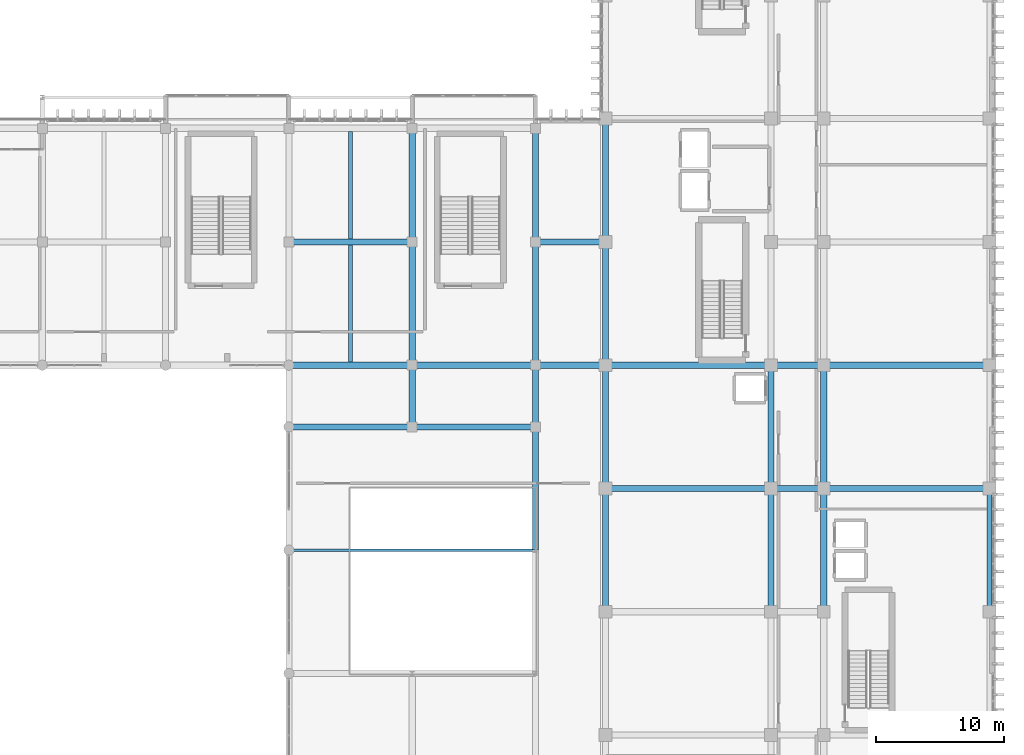
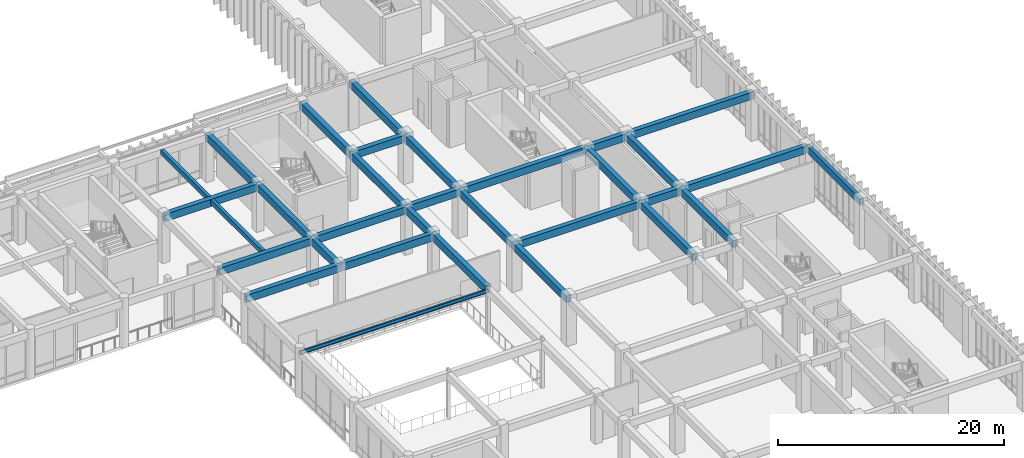
# One storey, part 70 of 134: 32 beams.
"""IFC4 building model written with IfcOpenShell, lengths in metres."""

from ifc_helpers import new_model, si_unit, direction, frame, origin, origin_2d, place, context, subcontext, project, spatial, rectangle, i_section, extrude, material, material_profile, profile_set, type_object, element, save


model = new_model("IFC4")

# Units and contexts
model_context = context("Model", 3, precision=1e-05, world=origin(), true_north=direction((0.0, 1.0)))
body_context = subcontext(model_context, "Body", "Model", "MODEL_VIEW")
ifc_project = project(units=[si_unit("LENGTHUNIT", "METRE"), si_unit("AREAUNIT", "SQUARE_METRE"), si_unit("VOLUMEUNIT", "CUBIC_METRE"), si_unit("PLANEANGLEUNIT", "RADIAN"), si_unit("MASSUNIT", "GRAM", prefix="KILO")], contexts=[model_context])

# Site, building, storey
site_placement = place(None, origin())
site = spatial("IfcSite", under=ifc_project, at=site_placement, CompositionType="ELEMENT")
building_placement = place(site_placement, origin())
building = spatial("IfcBuilding", under=site, at=building_placement, Name="Nakhvara Creek Congress Hotel", CompositionType="ELEMENT")
storey_placement = place(building_placement, frame((0.0, 0.0, 6.0)))
storey = spatial("IfcBuildingStorey", under=building, at=storey_placement, Name="L01", CompositionType="ELEMENT", Elevation=6.0)

# Beams
ifc_material_1 = material(Name="Concrete C40/50", Category="concrete")
ifc_material_profile_1 = material_profile(ifc_material_1, rectangle(XDim=0.320068359375, YDim=0.52001953125, at=origin_2d()), Name="RC-BM 320x520", Category="LoadBearing")
ifc_profile_set_1 = profile_set([ifc_material_profile_1], Name="Concrete C40/50")
beam_type_1 = type_object("IfcBeamType", Name="BM-RC-320X520", PredefinedType="JOIST", material=ifc_profile_set_1)
beam_1_placement = place(storey_placement, frame((129.60009765625, 77.0400390625, 4.840087890625), z_axis=(0.0, 1.0, 0.0), x_axis=(-1.0, 0.0, 0.0)))
element("IfcBeam", 1, at=beam_1_placement, inside=storey, type_object=beam_type_1, Name="Secondary Joist BJ2-L01-1387", PredefinedType="JOIST", context=body_context, shape_type="SweptSolid", body=[
    extrude(rectangle(XDim=0.320068359375, YDim=0.52001953125, at=origin_2d()), origin(), (0.0, 0.0, 1.0), 9.119873046875),
])
beam_2_placement = place(storey_placement, frame((129.60009765625, 86.639892578125, 4.840087890625), z_axis=(0.0, 1.0, 0.0), x_axis=(-1.0, 0.0, 0.0)))
element("IfcBeam", 2, at=beam_2_placement, inside=storey, type_object=beam_type_1, Name="Secondary Joist BJ2-L01-1388", PredefinedType="JOIST", context=body_context, shape_type="SweptSolid", body=[
    extrude(rectangle(XDim=0.320068359375, YDim=0.52001953125, at=origin_2d()), origin(), (0.0, 0.0, 1.0), 8.3701171875),
])
ifc_material_profile_2 = material_profile(ifc_material_1, rectangle(XDim=0.47998046875, YDim=0.780029296875, at=origin_2d()), Name="RC-BM 480x780", Category="LoadBearing")
ifc_profile_set_2 = profile_set([ifc_material_profile_2], Name="Concrete C40/50")
beam_type_2 = type_object("IfcBeamType", Name="BM-RC-480X780", PredefinedType="BEAM", material=ifc_profile_set_2)
for number, where, z_axis, x_axis, name in (
    (3, (124.800048828125, 72.0, 4.7099609375), (1.0, 0.0, 0.0), (0.0, 1.0, 0.0), "Beam B13-L01-1232"),
    (4, (124.800048828125, 76.800048828125, 4.7099609375), (1.0, 0.0, 0.0), (0.0, 1.0, 0.0), "Beam B13-L01-1234"),
    (5, (124.800048828125, 86.39990234375, 4.7099609375), (1.0, 0.0, 0.0), (0.0, 1.0, 0.0), "Beam B13-L01-1236"),
):
    element("IfcBeam", number, at=place(storey_placement, frame(where, z_axis=z_axis, x_axis=x_axis)), inside=storey, type_object=beam_type_2, Name=name, PredefinedType="BEAM", context=body_context, shape_type="SweptSolid", body=[
        extrude(rectangle(XDim=0.47998046875, YDim=0.780029296875, at=origin_2d()), origin(), (0.0, 0.0, 1.0), 9.599853515625),
    ])
beam_3_placement = place(storey_placement, frame((134.39990234375, 72.0, 4.7099609375), z_axis=(0.0, 1.0, 0.0), x_axis=(-1.0, 0.0, 0.0)))
element("IfcBeam", 6, at=beam_3_placement, inside=storey, type_object=beam_type_2, Name="Beam B13-L01-1248", PredefinedType="BEAM", context=body_context, shape_type="SweptSolid", body=[
    extrude(rectangle(XDim=0.47998046875, YDim=0.780029296875, at=origin_2d()), origin(), (0.0, 0.0, 1.0), 4.800048828125),
])
beam_4_placement = place(storey_placement, frame((134.39990234375, 72.0, 4.7099609375), z_axis=(1.0, 0.0, 0.0), x_axis=(0.0, 1.0, 0.0)))
element("IfcBeam", 7, at=beam_4_placement, inside=storey, type_object=beam_type_2, Name="Beam B13-L01-1249", PredefinedType="BEAM", context=body_context, shape_type="SweptSolid", body=[
    extrude(rectangle(XDim=0.47998046875, YDim=0.780029296875, at=origin_2d()), origin(), (0.0, 0.0, 1.0), 9.60009765625),
])
beam_5_placement = place(storey_placement, frame((134.39990234375, 76.800048828125, 4.7099609375), z_axis=(0.0, 1.0, 0.0), x_axis=(-1.0, 0.0, 0.0)))
element("IfcBeam", 8, at=beam_5_placement, inside=storey, type_object=beam_type_2, Name="Beam B13-L01-1250", PredefinedType="BEAM", context=body_context, shape_type="SweptSolid", body=[
    extrude(rectangle(XDim=0.47998046875, YDim=0.780029296875, at=origin_2d()), origin(), (0.0, 0.0, 1.0), 9.599853515625),
])
beam_6_placement = place(storey_placement, frame((134.39990234375, 76.800048828125, 4.7099609375), z_axis=(1.0, 0.0, 0.0), x_axis=(0.0, 1.0, 0.0)))
element("IfcBeam", 9, at=beam_6_placement, inside=storey, type_object=beam_type_2, Name="Beam B13-L01-1251", PredefinedType="BEAM", context=body_context, shape_type="SweptSolid", body=[
    extrude(rectangle(XDim=0.47998046875, YDim=0.780029296875, at=origin_2d()), origin(), (0.0, 0.0, 1.0), 9.60009765625),
])
beam_7_placement = place(storey_placement, frame((134.39990234375, 86.39990234375, 4.7099609375), z_axis=(0.0, 1.0, 0.0), x_axis=(-1.0, 0.0, 0.0)))
element("IfcBeam", 10, at=beam_7_placement, inside=storey, type_object=beam_type_2, Name="Beam B13-L01-1252", PredefinedType="BEAM", context=body_context, shape_type="SweptSolid", body=[
    extrude(rectangle(XDim=0.47998046875, YDim=0.780029296875, at=origin_2d()), origin(), (0.0, 0.0, 1.0), 8.85009765625),
])
beam_8_placement = place(storey_placement, frame((144.0, 62.39990234375, 4.7099609375), z_axis=(0.0, 1.0, 0.0), x_axis=(-1.0, 0.0, 0.0)))
element("IfcBeam", 11, at=beam_8_placement, inside=storey, type_object=beam_type_2, Name="Beam B13-L01-1266", PredefinedType="BEAM", context=body_context, shape_type="SweptSolid", body=[
    extrude(rectangle(XDim=0.47998046875, YDim=0.780029296875, at=origin_2d()), origin(), (0.0, 0.0, 1.0), 9.60009765625),
])
beam_9_placement = place(storey_placement, frame((144.0, 72.0, 4.7099609375), z_axis=(0.0, 1.0, 0.0), x_axis=(-1.0, 0.0, 0.0)))
element("IfcBeam", 12, at=beam_9_placement, inside=storey, type_object=beam_type_2, Name="Beam B13-L01-1267", PredefinedType="BEAM", context=body_context, shape_type="SweptSolid", body=[
    extrude(rectangle(XDim=0.47998046875, YDim=0.780029296875, at=origin_2d()), origin(), (0.0, 0.0, 1.0), 4.800048828125),
])
beam_10_placement = place(storey_placement, frame((144.0, 76.800048828125, 4.7099609375), z_axis=(0.0, 1.0, 0.0), x_axis=(-1.0, 0.0, 0.0)))
element("IfcBeam", 13, at=beam_10_placement, inside=storey, type_object=beam_type_2, Name="Beam B13-L01-1268", PredefinedType="BEAM", context=body_context, shape_type="SweptSolid", body=[
    extrude(rectangle(XDim=0.47998046875, YDim=0.780029296875, at=origin_2d()), origin(), (0.0, 0.0, 1.0), 9.599853515625),
])
beam_11_placement = place(storey_placement, frame((144.0, 76.800048828125, 4.7099609375), z_axis=(1.0, 0.0, 0.0), x_axis=(0.0, 1.0, 0.0)))
element("IfcBeam", 14, at=beam_11_placement, inside=storey, type_object=beam_type_2, Name="Beam B13-L01-1269", PredefinedType="BEAM", context=body_context, shape_type="SweptSolid", body=[
    extrude(rectangle(XDim=0.47998046875, YDim=0.780029296875, at=origin_2d()), origin(), (0.0, 0.0, 1.0), 5.449951171875),
])
beam_12_placement = place(storey_placement, frame((144.0, 86.39990234375, 4.7099609375), z_axis=(0.0, 1.0, 0.0), x_axis=(-1.0, 0.0, 0.0)))
element("IfcBeam", 15, at=beam_12_placement, inside=storey, type_object=beam_type_2, Name="Beam B13-L01-1270", PredefinedType="BEAM", context=body_context, shape_type="SweptSolid", body=[
    extrude(rectangle(XDim=0.47998046875, YDim=0.780029296875, at=origin_2d()), origin(), (0.0, 0.0, 1.0), 8.85009765625),
])
beam_13_placement = place(storey_placement, frame((144.0, 86.39990234375, 4.7099609375), z_axis=(1.0, 0.0, 0.0), x_axis=(0.0, 1.0, 0.0)))
element("IfcBeam", 16, at=beam_13_placement, inside=storey, type_object=beam_type_2, Name="Beam B13-L01-1271", PredefinedType="BEAM", context=body_context, shape_type="SweptSolid", body=[
    extrude(rectangle(XDim=0.47998046875, YDim=0.780029296875, at=origin_2d()), origin(), (0.0, 0.0, 1.0), 5.449951171875),
])
beam_14_placement = place(storey_placement, frame((149.449951171875, 57.60009765625, 4.7099609375), z_axis=(0.0, 1.0, 0.0), x_axis=(-1.0, 0.0, 0.0)))
element("IfcBeam", 17, at=beam_14_placement, inside=storey, type_object=beam_type_2, Name="Beam B13-L01-1284", PredefinedType="BEAM", context=body_context, shape_type="SweptSolid", body=[
    extrude(rectangle(XDim=0.47998046875, YDim=0.780029296875, at=origin_2d()), origin(), (0.0, 0.0, 1.0), 9.599853515625),
])
beam_15_placement = place(storey_placement, frame((149.449951171875, 67.199951171875, 4.7099609375), z_axis=(0.0, 1.0, 0.0), x_axis=(-1.0, 0.0, 0.0)))
element("IfcBeam", 18, at=beam_15_placement, inside=storey, type_object=beam_type_2, Name="Beam B13-L01-1286", PredefinedType="BEAM", context=body_context, shape_type="SweptSolid", body=[
    extrude(rectangle(XDim=0.47998046875, YDim=0.780029296875, at=origin_2d()), origin(), (0.0, 0.0, 1.0), 9.60009765625),
])
beam_16_placement = place(storey_placement, frame((149.449951171875, 67.199951171875, 4.7099609375), z_axis=(1.0, 0.0, 0.0), x_axis=(0.0, 1.0, 0.0)))
element("IfcBeam", 19, at=beam_16_placement, inside=storey, type_object=beam_type_2, Name="Beam B13-L01-1287", PredefinedType="BEAM", context=body_context, shape_type="SweptSolid", body=[
    extrude(rectangle(XDim=0.47998046875, YDim=0.780029296875, at=origin_2d()), origin(), (0.0, 0.0, 1.0), 12.900146484375),
])
beam_17_placement = place(storey_placement, frame((149.449951171875, 76.800048828125, 4.7099609375), z_axis=(0.0, 1.0, 0.0), x_axis=(-1.0, 0.0, 0.0)))
element("IfcBeam", 20, at=beam_17_placement, inside=storey, type_object=beam_type_2, Name="Beam B13-L01-1288", PredefinedType="BEAM", context=body_context, shape_type="SweptSolid", body=[
    extrude(rectangle(XDim=0.47998046875, YDim=0.780029296875, at=origin_2d()), origin(), (0.0, 0.0, 1.0), 9.599853515625),
])
beam_18_placement = place(storey_placement, frame((149.449951171875, 76.800048828125, 4.7099609375), z_axis=(1.0, 0.0, 0.0), x_axis=(0.0, 1.0, 0.0)))
element("IfcBeam", 21, at=beam_18_placement, inside=storey, type_object=beam_type_2, Name="Beam B13-L01-1289", PredefinedType="BEAM", context=body_context, shape_type="SweptSolid", body=[
    extrude(rectangle(XDim=0.47998046875, YDim=0.780029296875, at=origin_2d()), origin(), (0.0, 0.0, 1.0), 12.900146484375),
])
beam_19_placement = place(storey_placement, frame((149.449951171875, 86.39990234375, 4.7099609375), z_axis=(0.0, 1.0, 0.0), x_axis=(-1.0, 0.0, 0.0)))
element("IfcBeam", 22, at=beam_19_placement, inside=storey, type_object=beam_type_2, Name="Beam B13-L01-1290", PredefinedType="BEAM", context=body_context, shape_type="SweptSolid", body=[
    extrude(rectangle(XDim=0.47998046875, YDim=0.780029296875, at=origin_2d()), origin(), (0.0, 0.0, 1.0), 9.60009765625),
])
beam_20_placement = place(storey_placement, frame((162.35009765625, 57.60009765625, 4.7099609375), z_axis=(0.0, 1.0, 0.0), x_axis=(-1.0, 0.0, 0.0)))
element("IfcBeam", 23, at=beam_20_placement, inside=storey, type_object=beam_type_2, Name="Beam B13-L01-1309", PredefinedType="BEAM", context=body_context, shape_type="SweptSolid", body=[
    extrude(rectangle(XDim=0.47998046875, YDim=0.780029296875, at=origin_2d()), origin(), (0.0, 0.0, 1.0), 9.599853515625),
])
beam_21_placement = place(storey_placement, frame((162.35009765625, 67.199951171875, 4.7099609375), z_axis=(0.0, 1.0, 0.0), x_axis=(-1.0, 0.0, 0.0)))
element("IfcBeam", 24, at=beam_21_placement, inside=storey, type_object=beam_type_2, Name="Beam B13-L01-1311", PredefinedType="BEAM", context=body_context, shape_type="SweptSolid", body=[
    extrude(rectangle(XDim=0.47998046875, YDim=0.780029296875, at=origin_2d()), origin(), (0.0, 0.0, 1.0), 9.60009765625),
])
for number, where, z_axis, x_axis, name in (
    (25, (162.35009765625, 67.199951171875, 4.7099609375), (1.0, 0.0, 0.0), (0.0, 1.0, 0.0), "Beam B13-L01-1312"),
    (26, (162.35009765625, 76.800048828125, 4.7099609375), (1.0, 0.0, 0.0), (0.0, 1.0, 0.0), "Beam B13-L01-1314"),
):
    element("IfcBeam", number, at=place(storey_placement, frame(where, z_axis=z_axis, x_axis=x_axis)), inside=storey, type_object=beam_type_2, Name=name, PredefinedType="BEAM", context=body_context, shape_type="SweptSolid", body=[
        extrude(rectangle(XDim=0.47998046875, YDim=0.780029296875, at=origin_2d()), origin(), (0.0, 0.0, 1.0), 4.099853515625),
    ])
beam_22_placement = place(storey_placement, frame((166.449951171875, 57.60009765625, 4.7099609375), z_axis=(0.0, 1.0, 0.0), x_axis=(-1.0, 0.0, 0.0)))
element("IfcBeam", 27, at=beam_22_placement, inside=storey, type_object=beam_type_2, Name="Beam B13-L01-1335", PredefinedType="BEAM", context=body_context, shape_type="SweptSolid", body=[
    extrude(rectangle(XDim=0.47998046875, YDim=0.780029296875, at=origin_2d()), origin(), (0.0, 0.0, 1.0), 9.599853515625),
])
beam_23_placement = place(storey_placement, frame((166.449951171875, 67.199951171875, 4.7099609375), z_axis=(0.0, 1.0, 0.0), x_axis=(-1.0, 0.0, 0.0)))
element("IfcBeam", 28, at=beam_23_placement, inside=storey, type_object=beam_type_2, Name="Beam B13-L01-1336", PredefinedType="BEAM", context=body_context, shape_type="SweptSolid", body=[
    extrude(rectangle(XDim=0.47998046875, YDim=0.780029296875, at=origin_2d()), origin(), (0.0, 0.0, 1.0), 9.60009765625),
])
for number, where, z_axis, x_axis, name in (
    (29, (166.449951171875, 67.199951171875, 4.7099609375), (1.0, 0.0, 0.0), (0.0, 1.0, 0.0), "Beam B13-L01-1337"),
    (30, (166.449951171875, 76.800048828125, 4.7099609375), (1.0, 0.0, 0.0), (0.0, 1.0, 0.0), "Beam B13-L01-1339"),
):
    element("IfcBeam", number, at=place(storey_placement, frame(where, z_axis=z_axis, x_axis=x_axis)), inside=storey, type_object=beam_type_2, Name=name, PredefinedType="BEAM", context=body_context, shape_type="SweptSolid", body=[
        extrude(rectangle(XDim=0.47998046875, YDim=0.780029296875, at=origin_2d()), origin(), (0.0, 0.0, 1.0), 12.900146484375),
    ])
ifc_material_profile_3 = material_profile(ifc_material_1, rectangle(XDim=0.35009765625, YDim=0.75, at=origin_2d()), Name="RC-SPANDREL 350x750", Category="LoadBearing")
ifc_profile_set_3 = profile_set([ifc_material_profile_3], Name="Concrete C40/50")
beam_type_3 = type_object("IfcBeamType", Name="BM-SPN-350X750", PredefinedType="SPANDREL", material=ifc_profile_set_3)
beam_24_placement = place(storey_placement, frame((179.35009765625, 57.60009765625, 4.72509765625), z_axis=(0.0, 1.0, 0.0), x_axis=(-1.0, 0.0, 0.0)))
element("IfcBeam", 31, at=beam_24_placement, inside=storey, type_object=beam_type_3, Name="Beam SP1-L01-1355", PredefinedType="SPANDREL", context=body_context, shape_type="SweptSolid", body=[
    extrude(rectangle(XDim=0.35009765625, YDim=0.75, at=origin_2d()), origin(), (0.0, 0.0, 1.0), 9.599853515625),
])
ifc_material_2 = material(Name="Steel S355J2", Category="steel")
ifc_material_profile_4 = material_profile(ifc_material_2, i_section(OverallWidth=0.177978515625, OverallDepth=0.406494140625, WebThickness=0.0078125, FlangeThickness=0.0126953125, FilletRadius=0.01025390625, at=origin_2d()), Name="UB 406x178x60", Category="LoadBearing")
ifc_profile_set_4 = profile_set([ifc_material_profile_4], Name="Steel S355J2")
beam_type_4 = type_object("IfcBeamType", Name="BM-ST-UB406", PredefinedType="JOIST", material=ifc_profile_set_4)
beam_25_placement = place(storey_placement, frame((124.800048828125, 62.39990234375, 4.60009765625), z_axis=(1.0, 0.0, 0.0), x_axis=(0.0, 1.0, 0.0)))
element("IfcBeam", 32, at=beam_25_placement, inside=storey, type_object=beam_type_4, Name="Congress Steel Girder 03", PredefinedType="JOIST", context=body_context, shape_type="SweptSolid", body=[
    extrude(i_section(OverallWidth=0.177978515625, OverallDepth=0.406494140625, WebThickness=0.0078125, FlangeThickness=0.0126953125, FilletRadius=0.01025390625, at=origin_2d()), origin(), (0.0, 0.0, 1.0), 19.199951171875),
])

save(model, "model.ifc")
